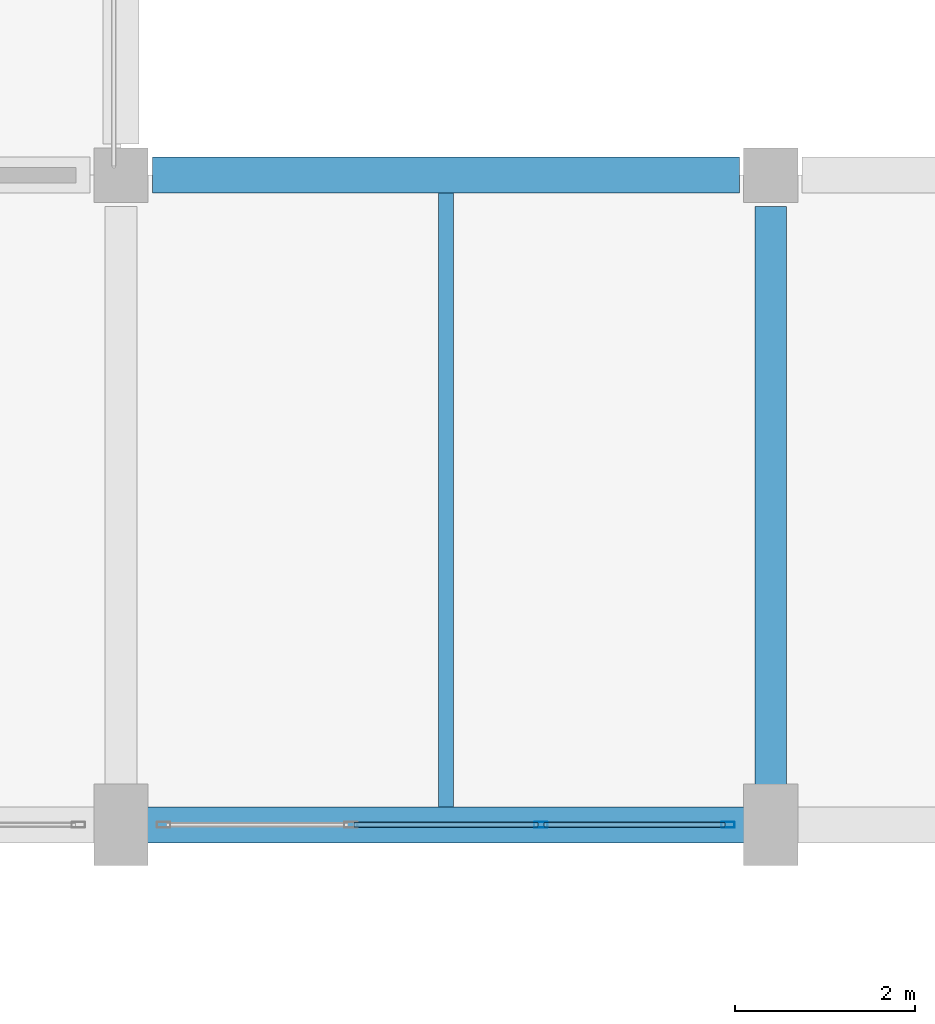
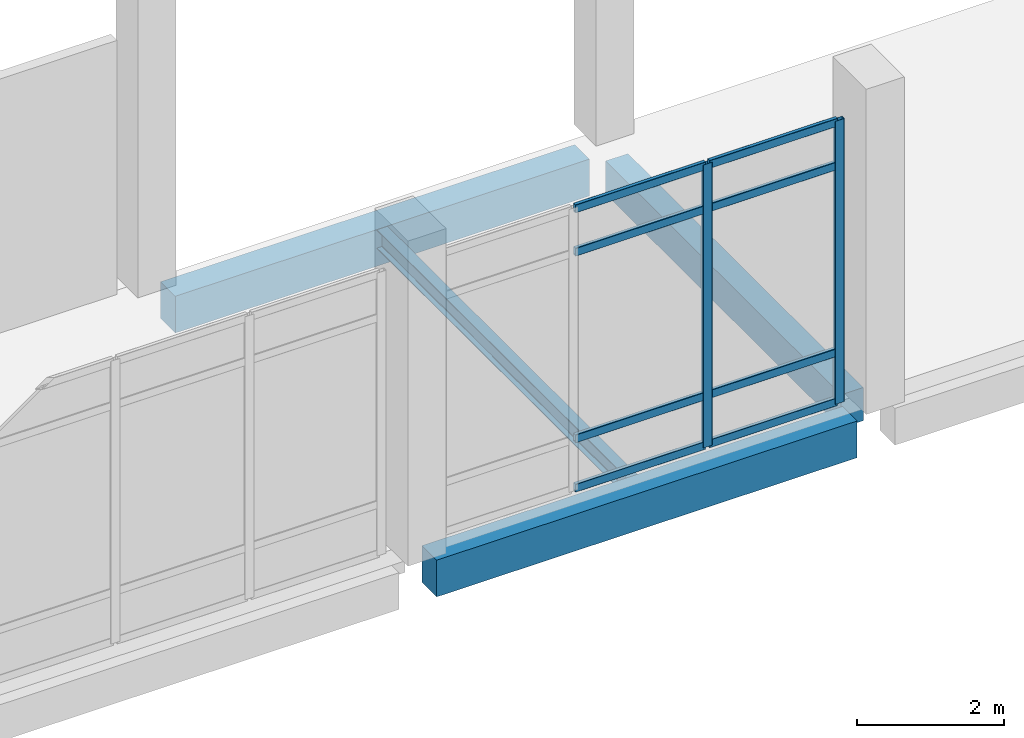
# One storey, part 106 of 180: 10 members, 4 beams, 1 element without a shape of its own.
"""IFC4 building model written with IfcOpenShell, lengths in metres."""

from ifc_helpers import new_model, si_unit, direction, frame, origin, origin_2d, place, context, subcontext, project, spatial, rectangle, hollow_rectangle, i_section, extrude, material, material_profile, profile_set, type_object, element, aggregate, save


model = new_model("IFC4")

# Units and contexts
model_context = context("Model", 3, precision=1e-05, world=origin(), true_north=direction((0.0, 1.0)))
body_context = subcontext(model_context, "Body", "Model", "MODEL_VIEW")
ifc_project = project(units=[si_unit("LENGTHUNIT", "METRE"), si_unit("AREAUNIT", "SQUARE_METRE"), si_unit("VOLUMEUNIT", "CUBIC_METRE"), si_unit("PLANEANGLEUNIT", "RADIAN"), si_unit("MASSUNIT", "GRAM", prefix="KILO")], contexts=[model_context])

# Site, building, storey
site_placement = place(None, origin())
site = spatial("IfcSite", under=ifc_project, at=site_placement, CompositionType="ELEMENT")
building_placement = place(site_placement, origin())
building = spatial("IfcBuilding", under=site, at=building_placement, Name="Lusvemor Sports Hall", CompositionType="ELEMENT")
storey_placement = place(building_placement, frame((0.0, 0.0, 5.39990234375)))
storey = spatial("IfcBuildingStorey", under=building, at=storey_placement, Name="L01", CompositionType="ELEMENT", Elevation=5.39990234375)

# Beam
ifc_material_1 = material(Name="Concrete C40/50", Category="concrete")
ifc_material_profile_1 = material_profile(ifc_material_1, rectangle(XDim=0.35009765625, YDim=0.550048828125, at=origin_2d()), Name="RC350x550")
ifc_profile_set_1 = profile_set([ifc_material_profile_1], Name="Concrete C40/50")
beam_type_1 = type_object("IfcBeamType", Name="BEAM_RC_550", PredefinedType="BEAM", material=ifc_profile_set_1)
beam_1_placement = place(storey_placement, frame((147.60009765625, 40.0458984375, -0.534912109375), z_axis=(0.0, 1.0, 0.0), x_axis=(-1.0, 0.0, 0.0)))
element("IfcBeam", 1, at=beam_1_placement, inside=storey, type_object=beam_type_1, Name="Beam L01 17:E-F", PredefinedType="BEAM", context=body_context, shape_type="SweptSolid", body=[
    extrude(rectangle(XDim=0.35009765625, YDim=0.550048828125, at=origin_2d()), origin(), (0.0, 0.0, 1.0), 6.408203125),
])

# Curtain wall, members
ifc_material_2 = material(Name="Thermally broken bronze-anodized aluminium", Category="aluminium")
curtain_wall_type = type_object("IfcCurtainWallType", Name="CW_COURT_C", PredefinedType="NOTDEFINED", material=ifc_material_2)
curtain_wall_placement = place(storey_placement, origin())
curtain_wall = element("IfcCurtainWall", 2, at=curtain_wall_placement, inside=storey, type_object=curtain_wall_type, Name="Curtain Wall CW-V2N-L01-3", PredefinedType="NOTDEFINED")
ifc_material_3 = material(Name="Thermally broken bronze-anodized aluminium", Category="aluminium")
ifc_material_profile_2 = material_profile(ifc_material_3, hollow_rectangle(XDim=0.06494140625, YDim=0.14990234375, WallThickness=0.00390625, InnerFilletRadius=0.00390625, OuterFilletRadius=0.008056640625, at=origin_2d()), Name="CWMUL150x65x4")
ifc_profile_set_2 = profile_set([ifc_material_profile_2], Name="Thermally broken bronze-anodized aluminium")
member_type_1 = type_object("IfcMemberType", Name="CW_MUL_B", PredefinedType="MULLION", material=ifc_profile_set_2)
member_1_placement = place(storey_placement, frame((145.05322265625, 39.60009765625, 0.0), z_axis=(0.0, 0.0, 1.0), x_axis=(0.0, 1.0, 0.0)))
member_1 = element("IfcMember", 3, at=member_1_placement, type_object=member_type_1, Name="CW03 mullion 3", PredefinedType="MULLION", context=body_context, shape_type="SweptSolid", body=[
    extrude(hollow_rectangle(XDim=0.06494140625, YDim=0.14990234375, WallThickness=0.00390625, InnerFilletRadius=0.00390625, OuterFilletRadius=0.008056640625, at=origin_2d()), origin(), (0.0, 0.0, 1.0), 4.7001953125),
])
member_2_placement = place(storey_placement, frame((147.12744140625, 39.60009765625, 0.0), z_axis=(0.0, 0.0, 1.0), x_axis=(0.0, 1.0, 0.0)))
member_2 = element("IfcMember", 4, at=member_2_placement, type_object=member_type_1, Name="CW03 mullion 4", PredefinedType="MULLION", context=body_context, shape_type="SweptSolid", body=[
    extrude(hollow_rectangle(XDim=0.06494140625, YDim=0.14990234375, WallThickness=0.00390625, InnerFilletRadius=0.00390625, OuterFilletRadius=0.008056640625, at=origin_2d()), origin(), (0.0, 0.0, 1.0), 4.7001953125),
])
ifc_material_4 = material(Name="Thermally broken bronze-anodized aluminium", Category="aluminium")
ifc_material_profile_3 = material_profile(ifc_material_4, hollow_rectangle(XDim=0.06005859375, YDim=0.135009765625, WallThickness=0.00390625, InnerFilletRadius=0.00390625, OuterFilletRadius=0.008056640625, at=origin_2d()), Name="CWTRN135x60x4")
ifc_profile_set_3 = profile_set([ifc_material_profile_3], Name="Thermally broken bronze-anodized aluminium")
member_type_2 = type_object("IfcMemberType", Name="CW_TRN_B", PredefinedType="USERDEFINED", material=ifc_profile_set_3)
member_3_placement = place(storey_placement, frame((142.979248046875, 39.60009765625, 0.030029296875), z_axis=(1.0, 0.0, 0.0), x_axis=(0.0, 1.0, 0.0)))
member_3 = element("IfcMember", 5, at=member_3_placement, type_object=member_type_2, Name="CW03 transom 2.1", ObjectType="TRANSOM", PredefinedType="USERDEFINED", context=body_context, shape_type="SweptSolid", body=[
    extrude(hollow_rectangle(XDim=0.06005859375, YDim=0.135009765625, WallThickness=0.00390625, InnerFilletRadius=0.00390625, OuterFilletRadius=0.008056640625, at=origin_2d()), origin(), (0.0, 0.0, 1.0), 2.04150390625),
])
member_4_placement = place(storey_placement, frame((142.979248046875, 39.60009765625, 0.85009765625), z_axis=(1.0, 0.0, 0.0), x_axis=(0.0, 1.0, 0.0)))
member_4 = element("IfcMember", 6, at=member_4_placement, type_object=member_type_2, Name="CW03 transom 2.2", ObjectType="TRANSOM", PredefinedType="USERDEFINED", context=body_context, shape_type="SweptSolid", body=[
    extrude(hollow_rectangle(XDim=0.06005859375, YDim=0.135009765625, WallThickness=0.00390625, InnerFilletRadius=0.00390625, OuterFilletRadius=0.008056640625, at=origin_2d()), origin(), (0.0, 0.0, 1.0), 2.04150390625),
])
member_5_placement = place(storey_placement, frame((142.979248046875, 39.60009765625, 3.9501953125), z_axis=(1.0, 0.0, 0.0), x_axis=(0.0, 1.0, 0.0)))
member_5 = element("IfcMember", 7, at=member_5_placement, type_object=member_type_2, Name="CW03 transom 2.3", ObjectType="TRANSOM", PredefinedType="USERDEFINED", context=body_context, shape_type="SweptSolid", body=[
    extrude(hollow_rectangle(XDim=0.06005859375, YDim=0.135009765625, WallThickness=0.00390625, InnerFilletRadius=0.00390625, OuterFilletRadius=0.008056640625, at=origin_2d()), origin(), (0.0, 0.0, 1.0), 2.04150390625),
])
member_6_placement = place(storey_placement, frame((142.979248046875, 39.60009765625, 4.670166015625), z_axis=(1.0, 0.0, 0.0), x_axis=(0.0, 1.0, 0.0)))
member_6 = element("IfcMember", 8, at=member_6_placement, type_object=member_type_2, Name="CW03 transom 2.4", ObjectType="TRANSOM", PredefinedType="USERDEFINED", context=body_context, shape_type="SweptSolid", body=[
    extrude(hollow_rectangle(XDim=0.06005859375, YDim=0.135009765625, WallThickness=0.00390625, InnerFilletRadius=0.00390625, OuterFilletRadius=0.008056640625, at=origin_2d()), origin(), (0.0, 0.0, 1.0), 2.04150390625),
])
member_7_placement = place(storey_placement, frame((145.0859375, 39.60009765625, 0.030029296875), z_axis=(1.0, 0.0, 0.0), x_axis=(0.0, 1.0, 0.0)))
member_7 = element("IfcMember", 9, at=member_7_placement, type_object=member_type_2, Name="CW03 transom 3.1", ObjectType="TRANSOM", PredefinedType="USERDEFINED", context=body_context, shape_type="SweptSolid", body=[
    extrude(hollow_rectangle(XDim=0.06005859375, YDim=0.135009765625, WallThickness=0.00390625, InnerFilletRadius=0.00390625, OuterFilletRadius=0.008056640625, at=origin_2d()), origin(), (0.0, 0.0, 1.0), 2.009033203125),
])
member_8_placement = place(storey_placement, frame((145.0859375, 39.60009765625, 0.85009765625), z_axis=(1.0, 0.0, 0.0), x_axis=(0.0, 1.0, 0.0)))
member_8 = element("IfcMember", 10, at=member_8_placement, type_object=member_type_2, Name="CW03 transom 3.2", ObjectType="TRANSOM", PredefinedType="USERDEFINED", context=body_context, shape_type="SweptSolid", body=[
    extrude(hollow_rectangle(XDim=0.06005859375, YDim=0.135009765625, WallThickness=0.00390625, InnerFilletRadius=0.00390625, OuterFilletRadius=0.008056640625, at=origin_2d()), origin(), (0.0, 0.0, 1.0), 2.009033203125),
])
member_9_placement = place(storey_placement, frame((145.0859375, 39.60009765625, 3.9501953125), z_axis=(1.0, 0.0, 0.0), x_axis=(0.0, 1.0, 0.0)))
member_9 = element("IfcMember", 11, at=member_9_placement, type_object=member_type_2, Name="CW03 transom 3.3", ObjectType="TRANSOM", PredefinedType="USERDEFINED", context=body_context, shape_type="SweptSolid", body=[
    extrude(hollow_rectangle(XDim=0.06005859375, YDim=0.135009765625, WallThickness=0.00390625, InnerFilletRadius=0.00390625, OuterFilletRadius=0.008056640625, at=origin_2d()), origin(), (0.0, 0.0, 1.0), 2.009033203125),
])
member_10_placement = place(storey_placement, frame((145.0859375, 39.60009765625, 4.670166015625), z_axis=(1.0, 0.0, 0.0), x_axis=(0.0, 1.0, 0.0)))
member_10 = element("IfcMember", 12, at=member_10_placement, type_object=member_type_2, Name="CW03 transom 3.4", ObjectType="TRANSOM", PredefinedType="USERDEFINED", context=body_context, shape_type="SweptSolid", body=[
    extrude(hollow_rectangle(XDim=0.06005859375, YDim=0.135009765625, WallThickness=0.00390625, InnerFilletRadius=0.00390625, OuterFilletRadius=0.008056640625, at=origin_2d()), origin(), (0.0, 0.0, 1.0), 2.009033203125),
])
aggregate(curtain_wall, [member_1, member_2, member_3, member_4, member_5, member_6, member_7, member_8, member_9, member_10])

# Beams
ifc_material_5 = material(Name="Steel S355", Category="steel")
ifc_material_profile_4 = material_profile(ifc_material_5, i_section(OverallWidth=0.1669921875, OverallDepth=0.31689453125, WebThickness=0.007568359375, FlangeThickness=0.01318359375, FilletRadius=0.014892578125, at=origin_2d()), Name="W310x52.0")
ifc_profile_set_4 = profile_set([ifc_material_profile_4], Name="Steel S355")
beam_type_2 = type_object("IfcBeamType", Name="JOIST_ST_310M", PredefinedType="JOIST", material=ifc_profile_set_4)
beam_2_placement = place(storey_placement, frame((144.0, 39.7958984375, -0.42236328125), z_axis=(0.0, 1.0, 0.0), x_axis=(-1.0, 0.0, 0.0)))
element("IfcBeam", 13, at=beam_2_placement, inside=storey, type_object=beam_type_2, Name="Secondary Joist L01 16-17/E-F #1", PredefinedType="JOIST", context=body_context, shape_type="SweptSolid", body=[
    extrude(i_section(OverallWidth=0.1669921875, OverallDepth=0.31689453125, WebThickness=0.007568359375, FlangeThickness=0.01318359375, FilletRadius=0.014892578125, at=origin_2d()), origin(), (0.0, 0.0, 1.0), 6.80810546875),
])
ifc_material_6 = material(Name="Concrete C40/50", Category="concrete")
ifc_material_profile_5 = material_profile(ifc_material_6, rectangle(XDim=0.39990234375, YDim=0.610107421875, at=origin_2d()), Name="RC400x610")
ifc_profile_set_5 = profile_set([ifc_material_profile_5], Name="Concrete C40/50")
beam_type_3 = type_object("IfcBeamType", Name="SPAND_EXT_650", PredefinedType="SPANDREL", material=ifc_profile_set_5)
beam_3_placement = place(storey_placement, frame((140.696044921875, 39.60009765625, -0.56494140625), z_axis=(1.0, 0.0, 0.0), x_axis=(0.0, 1.0, 0.0)))
element("IfcBeam", 14, at=beam_3_placement, inside=storey, type_object=beam_type_3, Name="Beam L01 E:16-17", PredefinedType="SPANDREL", context=body_context, shape_type="SweptSolid", body=[
    extrude(rectangle(XDim=0.39990234375, YDim=0.610107421875, at=origin_2d()), origin(), (0.0, 0.0, 1.0), 6.60791015625),
])
beam_4_placement = place(storey_placement, frame((140.74609375, 46.800048828125, -0.56494140625), z_axis=(1.0, 0.0, 0.0), x_axis=(0.0, 1.0, 0.0)))
element("IfcBeam", 15, at=beam_4_placement, inside=storey, type_object=beam_type_3, Name="Beam L01 F:16-17", PredefinedType="SPANDREL", context=body_context, shape_type="SweptSolid", body=[
    extrude(rectangle(XDim=0.39990234375, YDim=0.610107421875, at=origin_2d()), origin(), (0.0, 0.0, 1.0), 6.5078125),
])

save(model, "model.ifc")
